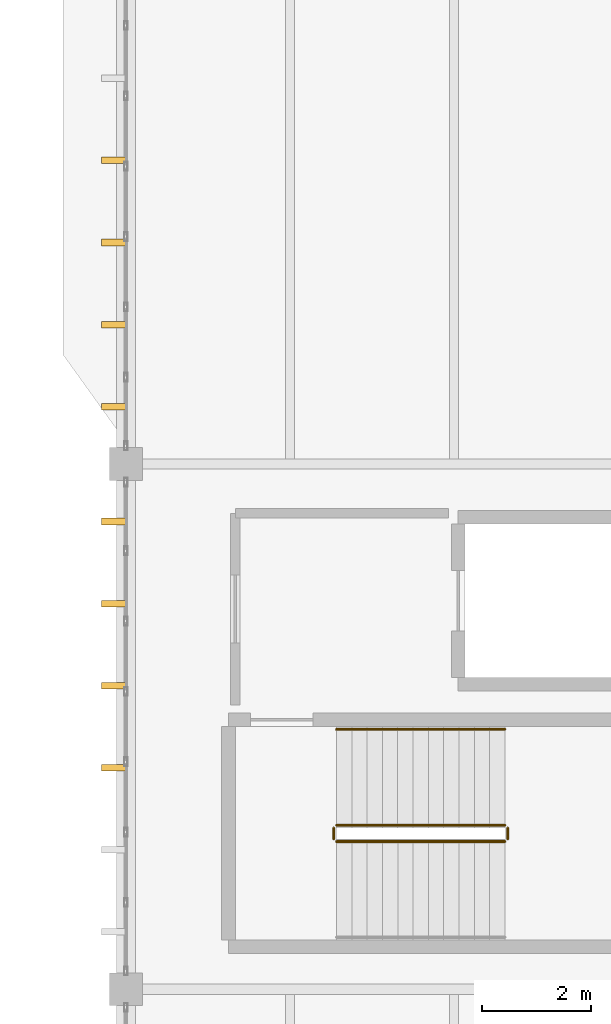
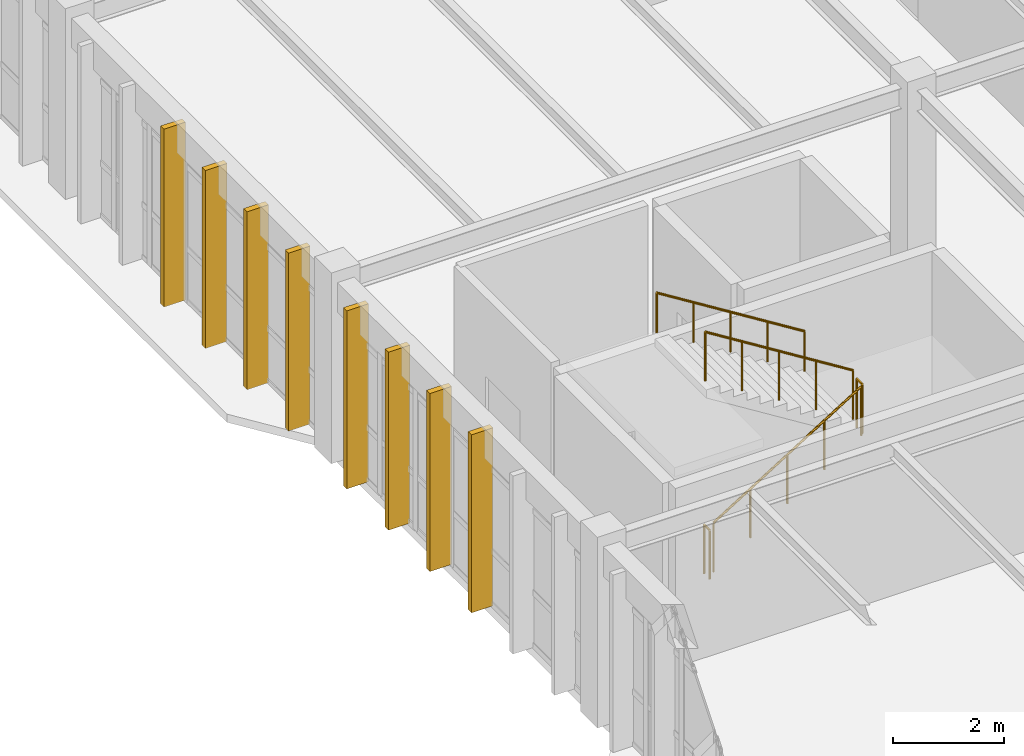
# One storey, part 79 of 83: 8 shading devices, 5 railings.
"""IFC4 building model written with IfcOpenShell, lengths in metres."""

from ifc_helpers import new_model, si_unit, direction, frame, origin, origin_2d, place, context, subcontext, project, spatial, rectangle, circle, extrude, material, type_object, element, save


model = new_model("IFC4")

# Units and contexts
model_context = context("Model", 3, precision=1e-05, world=origin(), true_north=direction((0.0, 1.0)))
body_context = subcontext(model_context, "Body", "Model", "MODEL_VIEW")
ifc_project = project(units=[si_unit("LENGTHUNIT", "METRE"), si_unit("AREAUNIT", "SQUARE_METRE"), si_unit("VOLUMEUNIT", "CUBIC_METRE"), si_unit("PLANEANGLEUNIT", "RADIAN"), si_unit("MASSUNIT", "GRAM", prefix="KILO")], contexts=[model_context])

# Site, building, storey
site_placement = place(None, origin())
site = spatial("IfcSite", under=ifc_project, at=site_placement, CompositionType="ELEMENT")
building_placement = place(site_placement, origin())
building = spatial("IfcBuilding", under=site, at=building_placement, Name="Pandanus Reach Market Hall", CompositionType="ELEMENT")
storey_placement = place(building_placement, frame((0.0, 0.0, 10.199951171875)))
storey = spatial("IfcBuildingStorey", under=building, at=storey_placement, Name="L02", CompositionType="ELEMENT", Elevation=10.199951171875)

# Shading devices
ifc_material_1 = material(Name="Precast concrete S50 (50 MPa)", Category="concrete")
shading_device_type = type_object("IfcShadingDeviceType", Name="FN-S50-450", PredefinedType="JALOUSIE", material=ifc_material_1)
for number, where, z_axis, x_axis, name in (
    (1, (143.780029296875, 52.050048828125, -0.010009765625), (0.0, 0.0, 1.0), (-1.0, 0.0, 0.0), "Precast brise-soleil fin 488"),
    (2, (143.780029296875, 53.550048828125, -0.010009765625), (0.0, 0.0, 1.0), (-1.0, 0.0, 0.0), "Precast brise-soleil fin 489"),
    (3, (143.780029296875, 55.050048828125, -0.010009765625), (0.0, 0.0, 1.0), (-1.0, 0.0, 0.0), "Precast brise-soleil fin 490"),
    (4, (143.780029296875, 56.550048828125, -0.010009765625), (0.0, 0.0, 1.0), (-1.0, 0.0, 0.0), "Precast brise-soleil fin 491"),
    (5, (143.780029296875, 58.64990234375, -0.010009765625), (0.0, 0.0, 1.0), (-1.0, 0.0, 0.0), "Precast brise-soleil fin 492"),
    (6, (143.780029296875, 60.14990234375, -0.010009765625), (0.0, 0.0, 1.0), (-1.0, 0.0, 0.0), "Precast brise-soleil fin 493"),
    (7, (143.780029296875, 61.64990234375, -0.010009765625), (0.0, 0.0, 1.0), (-1.0, 0.0, 0.0), "Precast brise-soleil fin 494"),
    (8, (143.780029296875, 63.14990234375, -0.010009765625), (0.0, 0.0, 1.0), (-1.0, 0.0, 0.0), "Precast brise-soleil fin 495"),
):
    element("IfcShadingDevice", number, at=place(storey_placement, frame(where, z_axis=z_axis, x_axis=x_axis)), inside=storey, type_object=shading_device_type, Name=name, PredefinedType="JALOUSIE", context=body_context, shape_type="SweptSolid", body=[
        extrude(rectangle(XDim=0.449951171875, YDim=0.1201171875, at=origin_2d()), origin(), (0.0, 0.0, 1.0), 3.919921875),
    ])

# Railings
ifc_material_2 = material(Name="Galvanised steel Grade 350 (350 MPa)", Category="steel")
railing_type_1 = type_object("IfcRailingType", Name="GR-INT-110", PredefinedType="GUARDRAIL", material=ifc_material_2)
railing_1_placement = place(storey_placement, frame((147.85009765625, 50.699951171875, 0.175048828125)))
element("IfcRailing", 9, at=railing_1_placement, inside=storey, type_object=railing_type_1, Name="Stair guard ST-03 L02.81", PredefinedType="GUARDRAIL", context=body_context, shape_type="SweptSolid", body=[
    extrude(circle(Radius=0.02392578125, at=origin_2d()), frame((0.0, 0.0, 1.076171875), z_axis=(0.847979421464, 0.0, 0.530029150871), x_axis=(0.0, 1.0, 0.0)), (0.0, 0.0, 1.0), 3.632080078125),
    extrude(circle(Radius=0.02099609375, at=origin_2d()), origin(), (0.0, 0.0, 1.0), 1.052001953125),
    extrude(circle(Radius=0.02099609375, at=origin_2d()), frame((0.77001953125, 0.0, 0.481201171875)), (0.0, 0.0, 1.0), 1.052001953125),
    extrude(circle(Radius=0.02099609375, at=origin_2d()), frame((1.5400390625, 0.0, 0.96240234375)), (0.0, 0.0, 1.0), 1.052001953125),
    extrude(circle(Radius=0.02099609375, at=origin_2d()), frame((2.309814453125, 0.0, 1.44384765625)), (0.0, 0.0, 1.0), 1.052001953125),
    extrude(circle(Radius=0.02099609375, at=origin_2d()), frame((3.079833984375, 0.0, 1.925048828125)), (0.0, 0.0, 1.0), 1.052001953125),
])
railing_2_placement = place(storey_placement, frame((150.97998046875, 50.75, 2.10009765625)))
element("IfcRailing", 10, at=railing_2_placement, inside=storey, type_object=railing_type_1, Name="Stair guard ST-03 L02.82", PredefinedType="GUARDRAIL", context=body_context, shape_type="SweptSolid", body=[
    extrude(circle(Radius=0.02392578125, at=origin_2d()), frame((0.0, 0.0, 1.076171875), z_axis=(0.0, 1.0, 0.0), x_axis=(-1.0, 0.0, 0.0)), (0.0, 0.0, 1.0), 0.199951171875),
    extrude(circle(Radius=0.02099609375, at=origin_2d()), origin(), (0.0, 0.0, 1.0), 1.052001953125),
    extrude(circle(Radius=0.02099609375, at=origin_2d()), frame((0.0, 0.199951171875, 0.0)), (0.0, 0.0, 1.0), 1.052001953125),
])
railing_3_placement = place(storey_placement, frame((150.929931640625, 51.0, 2.275146484375)))
element("IfcRailing", 11, at=railing_3_placement, inside=storey, type_object=railing_type_1, Name="Stair guard ST-03 L02.83", PredefinedType="GUARDRAIL", context=body_context, shape_type="SweptSolid", body=[
    extrude(circle(Radius=0.02392578125, at=origin_2d()), frame((0.0, 0.0, 1.076171875), z_axis=(-0.848009633417, 0.0, 0.529980812513), x_axis=(0.0, -1.0, 0.0)), (0.0, 0.0, 1.0), 3.6318359375),
    extrude(circle(Radius=0.02099609375, at=origin_2d()), origin(), (0.0, 0.0, 1.0), 1.052001953125),
    extrude(circle(Radius=0.02099609375, at=origin_2d()), frame((-0.77001953125, 0.0, 0.481201171875)), (0.0, 0.0, 1.0), 1.052001953125),
    extrude(circle(Radius=0.02099609375, at=origin_2d()), frame((-1.5400390625, 0.0, 0.96240234375)), (0.0, 0.0, 1.0), 1.052001953125),
    extrude(circle(Radius=0.02099609375, at=origin_2d()), frame((-2.309814453125, 0.0, 1.443603515625)), (0.0, 0.0, 1.0), 1.052001953125),
    extrude(circle(Radius=0.02099609375, at=origin_2d()), frame((-3.079833984375, 0.0, 1.9248046875)), (0.0, 0.0, 1.0), 1.052001953125),
])
railing_4_placement = place(storey_placement, frame((147.800048828125, 50.75, 0.0)))
element("IfcRailing", 12, at=railing_4_placement, inside=storey, type_object=railing_type_1, Name="Stair guard ST-03 L02.84", PredefinedType="GUARDRAIL", context=body_context, shape_type="SweptSolid", body=[
    extrude(circle(Radius=0.02392578125, at=origin_2d()), frame((0.0, 0.0, 1.076171875), z_axis=(0.0, 1.0, 0.0), x_axis=(-1.0, 0.0, 0.0)), (0.0, 0.0, 1.0), 0.199951171875),
    extrude(circle(Radius=0.02099609375, at=origin_2d()), origin(), (0.0, 0.0, 1.0), 1.052001953125),
    extrude(circle(Radius=0.02099609375, at=origin_2d()), frame((0.0, 0.199951171875, 0.0)), (0.0, 0.0, 1.0), 1.052001953125),
])
ifc_material_3 = material(Name="Brushed stainless steel", Category="steel")
railing_type_2 = type_object("IfcRailingType", Name="HR-WAL-090", PredefinedType="HANDRAIL", material=ifc_material_3)
railing_5_placement = place(storey_placement, frame((150.929931640625, 52.75, 2.275146484375)))
element("IfcRailing", 13, at=railing_5_placement, inside=storey, type_object=railing_type_2, Name="Stair handrail ST-03 L02.86", PredefinedType="HANDRAIL", context=body_context, shape_type="SweptSolid", body=[
    extrude(circle(Radius=0.02392578125, at=origin_2d()), frame((0.0, 0.0, 0.8759765625), z_axis=(-0.848009633417, 0.0, 0.529980812513), x_axis=(0.0, -1.0, 0.0)), (0.0, 0.0, 1.0), 3.6318359375),
    extrude(circle(Radius=0.02099609375, at=origin_2d()), origin(), (0.0, 0.0, 1.0), 0.851806640625),
    extrude(circle(Radius=0.02099609375, at=origin_2d()), frame((-0.77001953125, 0.0, 0.481201171875)), (0.0, 0.0, 1.0), 0.851806640625),
    extrude(circle(Radius=0.02099609375, at=origin_2d()), frame((-1.5400390625, 0.0, 0.96240234375)), (0.0, 0.0, 1.0), 0.851806640625),
    extrude(circle(Radius=0.02099609375, at=origin_2d()), frame((-2.309814453125, 0.0, 1.443603515625)), (0.0, 0.0, 1.0), 0.851806640625),
    extrude(circle(Radius=0.02099609375, at=origin_2d()), frame((-3.079833984375, 0.0, 1.9248046875)), (0.0, 0.0, 1.0), 0.851806640625),
])

save(model, "model.ifc")
